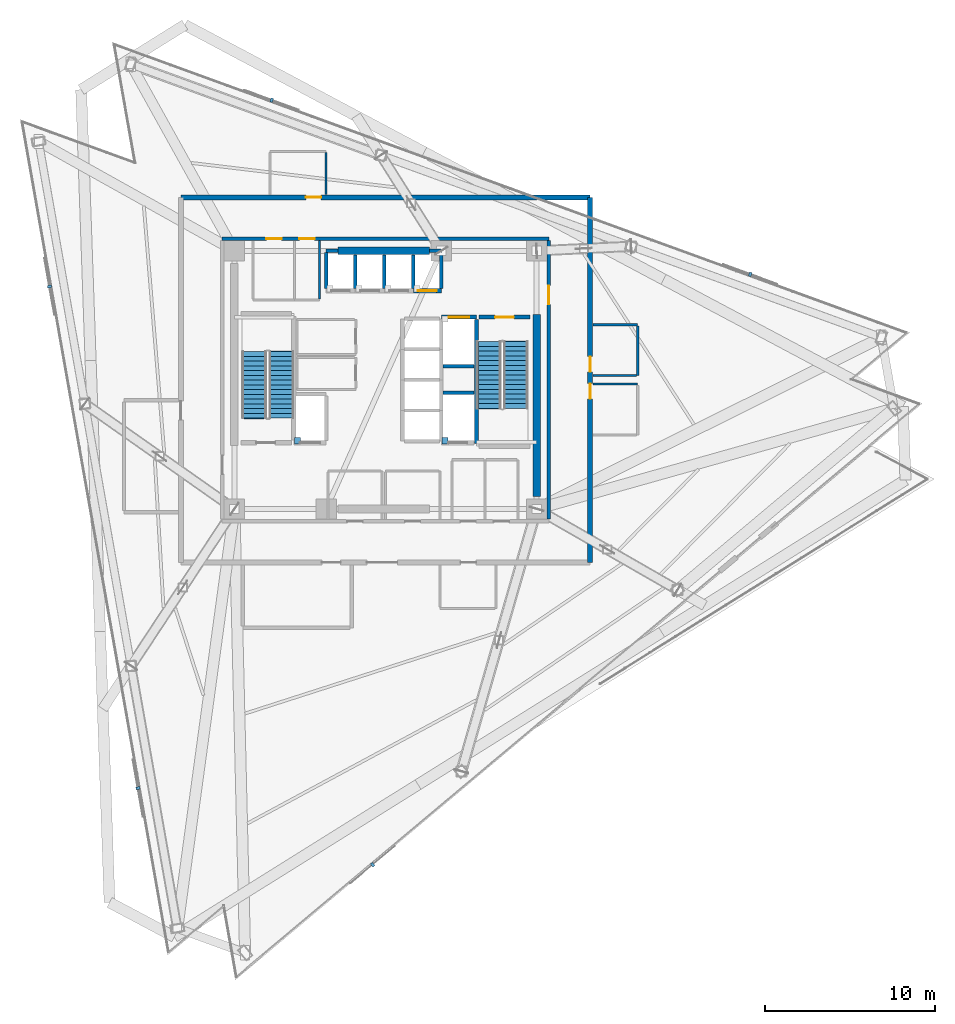
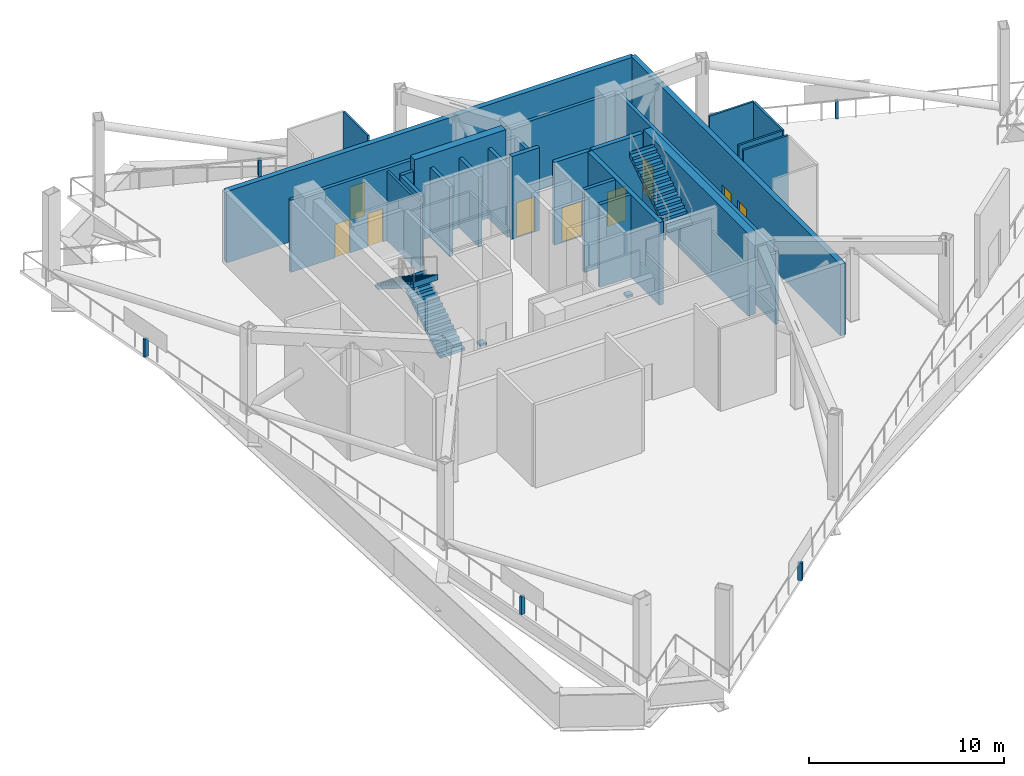
# One storey, part 8 of 15: 25 walls, 9 doors, 7 discrete accessories, 4 stair flights, 9 openings, 2 elements without a shape of their own.
"""IFC4 building model written with IfcOpenShell, lengths in metres."""

from ifc_helpers import new_model, si_unit, direction, frame, frame_2d, origin, origin_2d, place, context, subcontext, project, spatial, polyline, rectangle, outline, extrude, material, layer, layer_set, type_object, element, fill, aggregate, save


model = new_model("IFC4")

# Units and contexts
model_context = context("Model", 3, precision=1e-05, world=origin(), true_north=direction((0.0, 1.0)))
body_context = subcontext(model_context, "Body", "Model", "MODEL_VIEW")
ifc_project = project(units=[si_unit("LENGTHUNIT", "METRE"), si_unit("AREAUNIT", "SQUARE_METRE"), si_unit("VOLUMEUNIT", "CUBIC_METRE"), si_unit("PLANEANGLEUNIT", "RADIAN"), si_unit("MASSUNIT", "GRAM", prefix="KILO")], contexts=[model_context])

# Site, building, storey
site_placement = place(None, origin())
site = spatial("IfcSite", under=ifc_project, at=site_placement, CompositionType="ELEMENT")
building_placement = place(site_placement, origin())
building = spatial("IfcBuilding", under=site, at=building_placement, Name="Tharavind Bronze Gate", CompositionType="ELEMENT")
storey_placement = place(building_placement, frame((0.0, 0.0, 165.14990234375)))
storey = spatial("IfcBuildingStorey", under=building, at=storey_placement, Name="L42", CompositionType="ELEMENT", Elevation=165.14990234375)

# Wall, openings, doors
ifc_material_1 = material(Name="Concrete C40/50", Category="concrete")
ifc_layer_1 = layer(ifc_material_1, 0.300048828125)
ifc_layer_set_1 = layer_set([ifc_layer_1], Name="Concrete C40/50")
wall_type_1 = type_object("IfcWallType", Name="EXTERIOR SPANDREL WALL 300", PredefinedType="STANDARD", material=ifc_layer_set_1)
wall_1_placement = place(storey_placement, frame((12.050048828125, -10.75, 0.0), z_axis=(0.0, 0.0, 1.0), x_axis=(0.0, 1.0, 0.0)))
wall_1 = element("IfcWall", 1, at=wall_1_placement, inside=storey, type_object=wall_type_1, Name="L42 open wind floor core enclosure wall 2", PredefinedType="STANDARD", context=body_context, shape_type="SweptSolid", body=[
    extrude(rectangle(XDim=21.5, YDim=0.300048828125, at=frame_2d((10.75, 0.0))), origin(), (0.0, 0.0, 1.0), 4.465087890625),
])
opening_1_placement = place(wall_1_placement, frame((11.219970703125, 0.0, 0.0)))
opening_1 = element("IfcOpeningElement", 2, at=opening_1_placement, cuts=wall_1, Name="Opening ID07", PredefinedType="OPENING", context=body_context, shape_type="SweptSolid", body=[
    extrude(rectangle(XDim=0.89990234375, YDim=2.10009765625, at=frame_2d((0.449951171875, 1.050048828125))), frame((0.0, 0.15990234375, 0.0), z_axis=(0.0, -1.0, 0.0), x_axis=(1.0, 0.0, 0.0)), (0.0, 0.0, 1.0), 0.320048828125),
])
opening_2_placement = place(wall_1_placement, frame((9.639892578125, 0.0, 0.0)))
opening_2 = element("IfcOpeningElement", 3, at=opening_2_placement, cuts=wall_1, Name="Opening ID07", PredefinedType="OPENING", context=body_context, shape_type="SweptSolid", body=[
    extrude(rectangle(XDim=0.89990234375, YDim=2.10009765625, at=frame_2d((0.449951171875, 1.050048828125))), frame((0.0, 0.15990234375, 0.0), z_axis=(0.0, -1.0, 0.0), x_axis=(1.0, 0.0, 0.0)), (0.0, 0.0, 1.0), 0.320048828125),
])
ifc_material_2 = material(Name="Galvanised Fire Steel", Category="steel")
door_type_1 = type_object("IfcDoorType", Name="PLANT AND RISER FIRE DOOR 900X2100", OperationType="SINGLE_SWING_LEFT", PredefinedType="DOOR", material=ifc_material_2)
door_1_placement = place(opening_1_placement, origin())
door_1 = element("IfcDoor", 4, at=door_1_placement, inside=storey, type_object=door_type_1, Name="L42 Smoke Extract Plant Room door", OperationType="SINGLE_SWING_LEFT", OverallHeight=2.10009765625, OverallWidth=0.89990234375, PredefinedType="DOOR", context=body_context, shape_type="SweptSolid", body=[
    extrude(rectangle(XDim=0.89990234375, YDim=2.10009765625, at=frame_2d((0.449951171875, 1.050048828125))), frame((0.0, 0.02490234375, 0.0), z_axis=(0.0, -1.0, 0.0), x_axis=(1.0, 0.0, 0.0)), (0.0, 0.0, 1.0), 0.050048828125),
])
fill(opening_1, door_1)
door_2_placement = place(opening_2_placement, origin())
door_2 = element("IfcDoor", 5, at=door_2_placement, inside=storey, type_object=door_type_1, Name="L42 Pressurisation Mechanical Room door", OperationType="SINGLE_SWING_LEFT", OverallHeight=2.10009765625, OverallWidth=0.89990234375, PredefinedType="DOOR", context=body_context, shape_type="SweptSolid", body=[
    extrude(rectangle(XDim=0.89990234375, YDim=2.10009765625, at=frame_2d((0.449951171875, 1.050048828125))), frame((0.0, 0.02490234375, 0.0), z_axis=(0.0, -1.0, 0.0), x_axis=(1.0, 0.0, 0.0)), (0.0, 0.0, 1.0), 0.050048828125),
])
fill(opening_2, door_2)

# Wall, opening, door
wall_2_placement = place(storey_placement, frame((12.050048828125, 10.75, 0.0), z_axis=(0.0, 0.0, 1.0), x_axis=(-1.0, 0.0, 0.0)))
wall_2 = element("IfcWall", 6, at=wall_2_placement, inside=storey, type_object=wall_type_1, Name="L42 open wind floor core enclosure wall 3", PredefinedType="STANDARD", context=body_context, shape_type="SweptSolid", body=[
    extrude(rectangle(XDim=24.10009765625, YDim=0.300048828125, at=frame_2d((12.050048828125, 0.0))), origin(), (0.0, 0.0, 1.0), 4.465087890625),
])
opening_3_placement = place(wall_2_placement, frame((15.843017578125, 0.0, 0.0)))
opening_3 = element("IfcOpeningElement", 7, at=opening_3_placement, cuts=wall_2, Name="Opening ID07", PredefinedType="OPENING", context=body_context, shape_type="SweptSolid", body=[
    extrude(rectangle(XDim=0.89990234375, YDim=2.10009765625, at=frame_2d((0.449951171875, 1.050048828125))), frame((0.0, 0.15990234375, 0.0), z_axis=(0.0, -1.0, 0.0), x_axis=(1.0, 0.0, 0.0)), (0.0, 0.0, 1.0), 0.320048828125),
])
door_3_placement = place(opening_3_placement, origin())
door_3 = element("IfcDoor", 8, at=door_3_placement, inside=storey, type_object=door_type_1, Name="L42 Booster Pump Plant Room door", OperationType="SINGLE_SWING_LEFT", OverallHeight=2.10009765625, OverallWidth=0.89990234375, PredefinedType="DOOR", context=body_context, shape_type="SweptSolid", body=[
    extrude(rectangle(XDim=0.89990234375, YDim=2.10009765625, at=frame_2d((0.449951171875, 1.050048828125))), frame((0.0, 0.02490234375, 0.0), z_axis=(0.0, -1.0, 0.0), x_axis=(1.0, 0.0, 0.0)), (0.0, 0.0, 1.0), 0.050048828125),
])
fill(opening_3, door_3)

# Wall, openings, doors
ifc_material_3 = material(Name="Aerated Concrete Block", Category="concrete")
ifc_layer_2 = layer(ifc_material_3, 0.199951171875)
ifc_layer_set_2 = layer_set([ifc_layer_2], Name="Aerated Concrete Block")
wall_type_2 = type_object("IfcWallType", Name="FIRE RATED PARTITION 200", PredefinedType="PARTITIONING", material=ifc_layer_set_2)
wall_3_placement = place(storey_placement, frame((9.6201171875, 8.320068359375, 0.0), z_axis=(0.0, 0.0, 1.0), x_axis=(-1.0, 0.0, 0.0)))
wall_3 = element("IfcWall", 9, at=wall_3_placement, inside=storey, type_object=wall_type_2, Name="L42 north core corridor wall", PredefinedType="PARTITIONING", context=body_context, shape_type="SweptSolid", body=[
    extrude(rectangle(XDim=19.240234375, YDim=0.199951171875, at=frame_2d((9.6201171875, 0.0))), origin(), (0.0, 0.0, 1.0), 4.51513671875),
])
opening_4_placement = place(wall_3_placement, frame((15.7451171875, 0.0, 0.0)))
opening_4 = element("IfcOpeningElement", 10, at=opening_4_placement, cuts=wall_3, Name="Opening ID07", PredefinedType="OPENING", context=body_context, shape_type="SweptSolid", body=[
    extrude(rectangle(XDim=0.89990234375, YDim=2.10009765625, at=frame_2d((0.449951171875, 1.050048828125))), frame((0.0, 0.11009765625, 0.0), z_axis=(0.0, -1.0, 0.0), x_axis=(1.0, 0.0, 0.0)), (0.0, 0.0, 1.0), 0.219951171875),
])
opening_5_placement = place(wall_3_placement, frame((13.794921875, 0.0, 0.0)))
opening_5 = element("IfcOpeningElement", 11, at=opening_5_placement, cuts=wall_3, Name="Opening ID07", PredefinedType="OPENING", context=body_context, shape_type="SweptSolid", body=[
    extrude(rectangle(XDim=0.89990234375, YDim=2.10009765625, at=frame_2d((0.449951171875, 1.050048828125))), frame((0.0, 0.11009765625, 0.0), z_axis=(0.0, -1.0, 0.0), x_axis=(1.0, 0.0, 0.0)), (0.0, 0.0, 1.0), 0.219951171875),
])
door_4_placement = place(opening_4_placement, frame((0.89990234375, 0.0, 0.0), z_axis=(0.0, 0.0, 1.0), x_axis=(-1.0, 0.0, 0.0)))
door_4 = element("IfcDoor", 12, at=door_4_placement, inside=storey, type_object=door_type_1, Name="L42 MEP Switchgear Room fire door", OperationType="SINGLE_SWING_LEFT", OverallHeight=2.10009765625, OverallWidth=0.89990234375, PredefinedType="DOOR", context=body_context, shape_type="SweptSolid", body=[
    extrude(rectangle(XDim=0.89990234375, YDim=2.10009765625, at=frame_2d((0.449951171875, 1.050048828125))), frame((0.0, 0.02490234375, 0.0), z_axis=(0.0, -1.0, 0.0), x_axis=(1.0, 0.0, 0.0)), (0.0, 0.0, 1.0), 0.050048828125),
])
fill(opening_4, door_4)
door_5_placement = place(opening_5_placement, frame((0.89990234375, 0.0, 0.0), z_axis=(0.0, 0.0, 1.0), x_axis=(-1.0, 0.0, 0.0)))
door_5 = element("IfcDoor", 13, at=door_5_placement, inside=storey, type_object=door_type_1, Name="L42 Mechanical Riser Plant Room fire door", OperationType="SINGLE_SWING_LEFT", OverallHeight=2.10009765625, OverallWidth=0.89990234375, PredefinedType="DOOR", context=body_context, shape_type="SweptSolid", body=[
    extrude(rectangle(XDim=0.89990234375, YDim=2.10009765625, at=frame_2d((0.449951171875, 1.050048828125))), frame((0.0, 0.02490234375, 0.0), z_axis=(0.0, -1.0, 0.0), x_axis=(1.0, 0.0, 0.0)), (0.0, 0.0, 1.0), 0.050048828125),
])
fill(opening_5, door_5)

# Wall, opening, door
wall_4_placement = place(storey_placement, frame((9.6201171875, -8.199951171875, 0.0), z_axis=(0.0, 0.0, 1.0), x_axis=(0.0, 1.0, 0.0)))
wall_4 = element("IfcWall", 14, at=wall_4_placement, inside=storey, type_object=wall_type_2, Name="L42 east core corridor wall", PredefinedType="PARTITIONING", context=body_context, shape_type="SweptSolid", body=[
    extrude(rectangle(XDim=16.39990234375, YDim=0.199951171875, at=frame_2d((8.199951171875, 0.0))), origin(), (0.0, 0.0, 1.0), 4.614990234375),
])
opening_6_placement = place(wall_4_placement, frame((12.64990234375, 0.0, 0.0)))
opening_6 = element("IfcOpeningElement", 15, at=opening_6_placement, cuts=wall_4, Name="Opening ID01", PredefinedType="OPENING", context=body_context, shape_type="SweptSolid", body=[
    extrude(rectangle(XDim=1.10009765625, YDim=2.14990234375, at=frame_2d((0.550048828125, 1.074951171875))), frame((0.0, 0.11009765625, 0.0), z_axis=(0.0, -1.0, 0.0), x_axis=(1.0, 0.0, 0.0)), (0.0, 0.0, 1.0), 0.219951171875),
])
ifc_material_4 = material(Name="Fire-Rated Steel", Category="steel")
door_type_2 = type_object("IfcDoorType", Name="STAIR CORE FIRE DOOR 1100X2150", OperationType="SINGLE_SWING_LEFT", PredefinedType="DOOR", material=ifc_material_4)
door_6_placement = place(opening_6_placement, frame((1.10009765625, 0.0, 0.0), z_axis=(0.0, 0.0, 1.0), x_axis=(-1.0, 0.0, 0.0)))
door_6 = element("IfcDoor", 16, at=door_6_placement, inside=storey, type_object=door_type_2, Name="L42 north east stair lobby fire door", OperationType="SINGLE_SWING_LEFT", OverallHeight=2.14990234375, OverallWidth=1.10009765625, PredefinedType="DOOR", context=body_context, shape_type="SweptSolid", body=[
    extrude(rectangle(XDim=1.10009765625, YDim=2.14990234375, at=frame_2d((0.550048828125, 1.074951171875))), frame((0.0, 0.02490234375, 0.0), z_axis=(0.0, -1.0, 0.0), x_axis=(1.0, 0.0, 0.0)), (0.0, 0.0, 1.0), 0.050048828125),
])
fill(opening_6, door_6)

# Walls
ifc_material_5 = material(Name="Metal Stud Gypsum Partition", Category="gypsum")
ifc_layer_3 = layer(ifc_material_5, 0.1201171875)
ifc_layer_set_3 = layer_set([ifc_layer_3], Name="Metal Stud Gypsum Partition")
wall_type_3 = type_object("IfcWallType", Name="INTERIOR PARTITION WALL 120", PredefinedType="PARTITIONING", material=ifc_layer_set_3)
wall_5_placement = place(storey_placement, frame((-3.89990234375, 4.764892578125, 0.0), z_axis=(0.0, 0.0, 1.0), x_axis=(0.0, 1.0, 0.0)))
element("IfcWall", 17, at=wall_5_placement, inside=storey, type_object=wall_type_3, Name="L42 Mechanical Riser Plant Room partition 2", PredefinedType="PARTITIONING", context=body_context, shape_type="SweptSolid", body=[
    extrude(rectangle(XDim=3.4501953125, YDim=0.1201171875, at=frame_2d((1.72509765625, 0.0))), origin(), (0.0, 0.0, 1.0), 4.364990234375),
])
wall_6_placement = place(storey_placement, frame((12.205078125, 3.25, 0.0), z_axis=(0.0, 0.0, 1.0), x_axis=(1.0, 0.0, 0.0)))
element("IfcWall", 18, at=wall_6_placement, inside=storey, type_object=wall_type_3, Name="L42 Smoke Extract Plant Room partition", PredefinedType="PARTITIONING", context=body_context, shape_type="SweptSolid", body=[
    extrude(rectangle(XDim=2.64501953125, YDim=0.1201171875, at=frame_2d((1.322509765625, 0.0))), origin(), (0.0, 0.0, 1.0), 5.170166015625),
])
wall_7_placement = place(storey_placement, frame((14.85009765625, 3.18505859375, 0.0), z_axis=(0.0, 0.0, 1.0), x_axis=(0.0, -1.0, 0.0)))
element("IfcWall", 19, at=wall_7_placement, inside=storey, type_object=wall_type_3, Name="L42 Smoke Extract Plant Room partition", PredefinedType="PARTITIONING", context=body_context, shape_type="SweptSolid", body=[
    extrude(rectangle(XDim=2.93505859375, YDim=0.1201171875, at=frame_2d((1.467529296875, 0.0))), origin(), (0.0, 0.0, 1.0), 5.170166015625),
])
wall_8_placement = place(storey_placement, frame((14.784912109375, 0.25, 0.0), z_axis=(0.0, 0.0, 1.0), x_axis=(-1.0, 0.0, 0.0)))
element("IfcWall", 20, at=wall_8_placement, inside=storey, type_object=wall_type_3, Name="L42 Smoke Extract Plant Room partition", PredefinedType="PARTITIONING", context=body_context, shape_type="SweptSolid", body=[
    extrude(rectangle(XDim=2.579833984375, YDim=0.1201171875, at=frame_2d((1.2900390625, 0.0))), origin(), (0.0, 0.0, 1.0), 5.170166015625),
])
wall_9_placement = place(storey_placement, frame((12.205078125, -0.25, 0.0), z_axis=(0.0, 0.0, 1.0), x_axis=(1.0, 0.0, 0.0)))
element("IfcWall", 21, at=wall_9_placement, inside=storey, type_object=wall_type_3, Name="L42 Pressurisation Mechanical Room partition", PredefinedType="PARTITIONING", context=body_context, shape_type="SweptSolid", body=[
    extrude(rectangle(XDim=2.64501953125, YDim=0.1201171875, at=frame_2d((1.322509765625, 0.0))), origin(), (0.0, 0.0, 1.0), 5.170166015625),
])
wall_10_placement = place(storey_placement, frame((-3.5, 13.385009765625, 0.0), z_axis=(0.0, 0.0, 1.0), x_axis=(0.0, -1.0, 0.0)))
element("IfcWall", 22, at=wall_10_placement, inside=storey, type_object=wall_type_3, Name="L42 Booster Pump Plant Room partition", PredefinedType="PARTITIONING", context=body_context, shape_type="SweptSolid", body=[
    extrude(rectangle(XDim=2.47998046875, YDim=0.1201171875, at=frame_2d((1.239990234375, 0.0))), origin(), (0.0, 0.0, 1.0), 4.80517578125),
])
ifc_material_6 = material(Name="Concrete C50/60", Category="concrete")
ifc_layer_4 = layer(ifc_material_6, 0.25)
ifc_layer_set_4 = layer_set([ifc_layer_4], Name="Concrete C50/60")
wall_type_4 = type_object("IfcWallType", Name="RC CORE SHEAR WALL 250", PredefinedType="SHEAR", material=ifc_layer_set_4)
wall_11_placement = place(storey_placement, frame((5.35009765625, -3.75, 0.0), z_axis=(0.0, 0.0, 1.0), x_axis=(0.0, 1.0, 0.0)))
element("IfcWall", 23, at=wall_11_placement, inside=storey, type_object=wall_type_4, Name="L42 ST2 shaft west wall", PredefinedType="SHEAR", context=body_context, shape_type="SweptSolid", body=[
    extrude(rectangle(XDim=7.300048828125, YDim=0.25, at=frame_2d((3.64990234375, 0.0))), origin(), (0.0, 0.0, 1.0), 5.170166015625),
])

# Wall, opening, door
wall_12_placement = place(storey_placement, frame((5.5, 3.699951171875, 0.0), z_axis=(0.0, 0.0, 1.0), x_axis=(1.0, 0.0, 0.0)))
wall_12 = element("IfcWall", 24, at=wall_12_placement, inside=storey, type_object=wall_type_4, Name="L42 ST2 shaft north wall", PredefinedType="SHEAR", context=body_context, shape_type="SweptSolid", body=[
    extrude(rectangle(XDim=3.0, YDim=0.25, at=frame_2d((1.5, 0.0))), origin(), (0.0, 0.0, 1.0), 5.170166015625),
])
opening_7_placement = place(wall_12_placement, frame((0.949951171875, 0.0, 0.0)))
opening_7 = element("IfcOpeningElement", 25, at=opening_7_placement, cuts=wall_12, Name="Opening ID01", PredefinedType="OPENING", context=body_context, shape_type="SweptSolid", body=[
    extrude(rectangle(XDim=1.10009765625, YDim=2.14990234375, at=frame_2d((0.550048828125, 1.074951171875))), frame((0.0, 0.135, 0.0), z_axis=(0.0, -1.0, 0.0), x_axis=(1.0, 0.0, 0.0)), (0.0, 0.0, 1.0), 0.27),
])
door_7_placement = place(opening_7_placement, frame((1.10009765625, 0.0, 0.0), z_axis=(0.0, 0.0, 1.0), x_axis=(-1.0, 0.0, 0.0)))
door_7 = element("IfcDoor", 26, at=door_7_placement, inside=storey, type_object=door_type_2, Name="L42 exit stair ST2 fire door", OperationType="SINGLE_SWING_LEFT", OverallHeight=2.14990234375, OverallWidth=1.10009765625, PredefinedType="DOOR", context=body_context, shape_type="SweptSolid", body=[
    extrude(rectangle(XDim=1.10009765625, YDim=2.14990234375, at=frame_2d((0.550048828125, 1.074951171875))), frame((0.0, 0.02490234375, 0.0), z_axis=(0.0, -1.0, 0.0), x_axis=(1.0, 0.0, 0.0)), (0.0, 0.0, 1.0), 0.050048828125),
])
fill(opening_7, door_7)

wall_13_placement = place(storey_placement, frame((1.637451171875, 5.25, 0.0), z_axis=(0.0, 0.0, 1.0), x_axis=(1.0, 0.0, 0.0)))
wall_13 = element("IfcWall", 27, at=wall_13_placement, inside=storey, type_object=wall_type_4, Name="L42 lift PL8 shaft front wall", PredefinedType="SHEAR", context=body_context, shape_type="SweptSolid", body=[
    extrude(rectangle(XDim=1.642578125, YDim=0.25, at=frame_2d((0.8212890625, 0.0))), origin(), (0.0, 0.0, 1.0), 5.170166015625),
])
opening_8_placement = place(wall_13_placement, frame((0.27099609375, 0.0, 0.0)))
opening_8 = element("IfcOpeningElement", 28, at=opening_8_placement, cuts=wall_13, Name="Opening LD01", PredefinedType="OPENING", context=body_context, shape_type="SweptSolid", body=[
    extrude(rectangle(XDim=1.10009765625, YDim=2.199951171875, at=frame_2d((0.550048828125, 1.10009765625))), frame((0.0, 0.135, 0.0), z_axis=(0.0, -1.0, 0.0), x_axis=(1.0, 0.0, 0.0)), (0.0, 0.0, 1.0), 0.27),
])
ifc_material_7 = material(Name="Brushed Bronze Stainless Steel", Category="steel")
door_type_3 = type_object("IfcDoorType", Name="LIFT LANDING SLIDING DOOR 1100X2200", OperationType="SLIDING_TO_LEFT", PredefinedType="DOOR", material=ifc_material_7)
door_8_placement = place(opening_8_placement, origin())
door_8 = element("IfcDoor", 29, at=door_8_placement, inside=storey, type_object=door_type_3, Name="L42 lift PL8 sliding landing door", OperationType="SLIDING_TO_LEFT", OverallHeight=2.199951171875, OverallWidth=1.10009765625, PredefinedType="DOOR", context=body_context, shape_type="SweptSolid", body=[
    extrude(rectangle(XDim=1.10009765625, YDim=2.199951171875, at=frame_2d((0.550048828125, 1.10009765625))), frame((0.0, 0.02490234375, 0.0), z_axis=(0.0, -1.0, 0.0), x_axis=(1.0, 0.0, 0.0)), (0.0, 0.0, 1.0), 0.050048828125),
])
fill(opening_8, door_8)

wall_14_placement = place(storey_placement, frame((3.280029296875, 3.699951171875, 0.0), z_axis=(0.0, 0.0, 1.0), x_axis=(1.0, 0.0, 0.0)))
wall_14 = element("IfcWall", 30, at=wall_14_placement, inside=storey, type_object=wall_type_4, Name="L42 lift FFL2 shaft front wall", PredefinedType="SHEAR", context=body_context, shape_type="SweptSolid", body=[
    extrude(rectangle(XDim=2.070068359375, YDim=0.25, at=frame_2d((1.03515625, 0.0))), origin(), (0.0, 0.0, 1.0), 5.170166015625),
])
opening_9_placement = place(wall_14_placement, frame((0.43505859375, 0.0, 0.0)))
opening_9 = element("IfcOpeningElement", 31, at=opening_9_placement, cuts=wall_14, Name="Opening LD02", PredefinedType="OPENING", context=body_context, shape_type="SweptSolid", body=[
    extrude(rectangle(XDim=1.199951171875, YDim=2.199951171875, at=frame_2d((0.60009765625, 1.10009765625))), frame((0.0, 0.135, 0.0), z_axis=(0.0, -1.0, 0.0), x_axis=(1.0, 0.0, 0.0)), (0.0, 0.0, 1.0), 0.27),
])
ifc_material_8 = material(Name="Brushed Stainless Steel", Category="steel")
door_type_4 = type_object("IfcDoorType", Name="FIREFIGHTING LIFT LANDING DOOR 1200X2200", OperationType="SLIDING_TO_RIGHT", PredefinedType="DOOR", material=ifc_material_8)
door_9_placement = place(opening_9_placement, origin())
door_9 = element("IfcDoor", 32, at=door_9_placement, inside=storey, type_object=door_type_4, Name="L42 lift FFL2 sliding landing door", OperationType="SLIDING_TO_RIGHT", OverallHeight=2.199951171875, OverallWidth=1.199951171875, PredefinedType="DOOR", context=body_context, shape_type="SweptSolid", body=[
    extrude(rectangle(XDim=1.199951171875, YDim=2.199951171875, at=frame_2d((0.60009765625, 1.10009765625))), frame((0.0, 0.02490234375, 0.0), z_axis=(0.0, -1.0, 0.0), x_axis=(1.0, 0.0, 0.0)), (0.0, 0.0, 1.0), 0.050048828125),
])
fill(opening_9, door_9)

# Walls
ifc_material_9 = material(Name="Concrete C60/75", Category="concrete")
ifc_layer_5 = layer(ifc_material_9, 0.449951171875)
ifc_layer_set_5 = layer_set([ifc_layer_5], Name="Concrete C60/75")
wall_type_5 = type_object("IfcWallType", Name="RC CORE SHEAR WALL 450", PredefinedType="SHEAR", material=ifc_layer_set_5)
wall_15_placement = place(storey_placement, frame((-2.800048828125, 7.60009765625, 0.0), z_axis=(0.0, 0.0, 1.0), x_axis=(1.0, 0.0, 0.0)))
element("IfcWall", 33, at=wall_15_placement, inside=storey, type_object=wall_type_5, Name="L42 north core shear wall", PredefinedType="SHEAR", context=body_context, shape_type="SweptSolid", body=[
    extrude(rectangle(XDim=5.380126953125, YDim=0.449951171875, at=frame_2d((2.68994140625, 0.0))), origin(), (0.0, 0.0, 1.0), 5.170166015625),
])
wall_16_placement = place(storey_placement, frame((8.89990234375, -6.85009765625, 0.0), z_axis=(0.0, 0.0, 1.0), x_axis=(0.0, 1.0, 0.0)))
element("IfcWall", 34, at=wall_16_placement, inside=storey, type_object=wall_type_5, Name="L42 east core shear wall", PredefinedType="SHEAR", context=body_context, shape_type="SweptSolid", body=[
    extrude(rectangle(XDim=10.7001953125, YDim=0.449951171875, at=frame_2d((5.35009765625, 0.0))), origin(), (0.0, 0.0, 1.0), 5.170166015625),
])
ifc_layer_6 = layer(ifc_material_1, 0.199951171875)
ifc_layer_set_6 = layer_set([ifc_layer_6], Name="Concrete C40/50")
wall_type_6 = type_object("IfcWallType", Name="SHAFT ENCLOSURE WALL 200", PredefinedType="PARTITIONING", material=ifc_layer_set_6)
wall_17_placement = place(storey_placement, frame((-3.5, 7.60009765625, 0.0), z_axis=(0.0, 0.0, 1.0), x_axis=(1.0, 0.0, 0.0)))
element("IfcWall", 35, at=wall_17_placement, inside=storey, type_object=wall_type_6, Name="L42 lift PL5 shaft N enclosure wall", PredefinedType="PARTITIONING", context=body_context, shape_type="SweptSolid", body=[
    extrude(rectangle(XDim=0.699951171875, YDim=0.199951171875, at=frame_2d((0.35009765625, 0.0))), origin(), (0.0, 0.0, 1.0), 4.364990234375),
])
wall_18_placement = place(storey_placement, frame((-3.5, 5.3798828125, 0.0), z_axis=(0.0, 0.0, 1.0), x_axis=(0.0, 1.0, 0.0)))
element("IfcWall", 36, at=wall_18_placement, inside=storey, type_object=wall_type_6, Name="L42 lift PL5 shaft W enclosure wall", PredefinedType="PARTITIONING", context=body_context, shape_type="SweptSolid", body=[
    extrude(rectangle(XDim=2.115234375, YDim=0.199951171875, at=frame_2d((1.0576171875, 0.0))), origin(), (0.0, 0.0, 1.0), 4.364990234375),
])
for number, where, z_axis, x_axis, name in (
    (37, (-1.78759765625, 5.3798828125, 0.0), (0.0, 0.0, 1.0), (0.0, 1.0, 0.0), "L42 lift PL5 shaft E enclosure wall"),
    (38, (-0.074951171875, 5.3798828125, 0.0), (0.0, 0.0, 1.0), (0.0, 1.0, 0.0), "L42 lift PL6 shaft E enclosure wall"),
    (39, (1.637451171875, 5.3798828125, 0.0), (0.0, 0.0, 1.0), (0.0, 1.0, 0.0), "L42 lift PL7 shaft E enclosure wall"),
):
    element("IfcWall", number, at=place(storey_placement, frame(where, z_axis=z_axis, x_axis=x_axis)), inside=storey, type_object=wall_type_6, Name=name, PredefinedType="PARTITIONING", context=body_context, shape_type="SweptSolid", body=[
        extrude(rectangle(XDim=1.990234375, YDim=0.199951171875, at=frame_2d((0.9951171875, 0.0))), origin(), (0.0, 0.0, 1.0), 4.364990234375),
    ])
wall_19_placement = place(storey_placement, frame((2.580078125, 7.60009765625, 0.0), z_axis=(0.0, 0.0, 1.0), x_axis=(1.0, 0.0, 0.0)))
element("IfcWall", 40, at=wall_19_placement, inside=storey, type_object=wall_type_6, Name="L42 lift PL8 shaft N enclosure wall", PredefinedType="PARTITIONING", context=body_context, shape_type="SweptSolid", body=[
    extrude(rectangle(XDim=0.699951171875, YDim=0.199951171875, at=frame_2d((0.35009765625, 0.0))), origin(), (0.0, 0.0, 1.0), 4.364990234375),
])
wall_20_placement = place(storey_placement, frame((3.280029296875, 5.3798828125, 0.0), z_axis=(0.0, 0.0, 1.0), x_axis=(0.0, 1.0, 0.0)))
element("IfcWall", 41, at=wall_20_placement, inside=storey, type_object=wall_type_6, Name="L42 lift PL8 shaft E enclosure wall", PredefinedType="PARTITIONING", context=body_context, shape_type="SweptSolid", body=[
    extrude(rectangle(XDim=2.115234375, YDim=0.199951171875, at=frame_2d((1.0576171875, 0.0))), origin(), (0.0, 0.0, 1.0), 4.364990234375),
])
for number, where, z_axis, x_axis, name in (
    (42, (3.385009765625, 0.800048828125, 0.0), (0.0, 0.0, 1.0), (1.0, 0.0, 0.0), "L42 lift FFL2 shaft S enclosure wall"),
    (43, (3.385009765625, -0.75, 0.0), (0.0, 0.0, 1.0), (1.0, 0.0, 0.0), "L42 lift SVL1 shaft N enclosure wall"),
):
    element("IfcWall", number, at=place(storey_placement, frame(where, z_axis=z_axis, x_axis=x_axis)), inside=storey, type_object=wall_type_6, Name=name, PredefinedType="PARTITIONING", context=body_context, shape_type="SweptSolid", body=[
        extrude(rectangle(XDim=1.8349609375, YDim=0.199951171875, at=frame_2d((0.91748046875, 0.0))), origin(), (0.0, 0.0, 1.0), 5.170166015625),
    ])

# Stair, stair flights
stair_type = type_object("IfcStairType", Name="CORE HALF TURN STAIR 1450", PredefinedType="HALF_TURN_STAIR", material=ifc_material_1)
stair_1_placement = place(storey_placement, origin())
stair_1 = element("IfcStair", 44, at=stair_1_placement, inside=storey, type_object=stair_type, Name="L42 Protected Exit Stair ST1", PredefinedType="HALF_TURN_STAIR")
stair_flight_type = type_object("IfcStairFlightType", Name="CORE STAIR FLIGHT 1450", PredefinedType="STRAIGHT", material=ifc_material_1)
stair_flight_1_placement = place(storey_placement, frame((-6.125, -2.25, 0.0), z_axis=(0.0, 0.0, 1.0), x_axis=(0.0, 1.0, 0.0)))
stair_flight_1 = element("IfcStairFlight", 45, at=stair_flight_1_placement, type_object=stair_flight_type, Name="ST1 flight 1", NumberOfRisers=15, NumberOfTreads=14, PredefinedType="STRAIGHT", RiserHeight=0.178333333, TreadLength=0.28, context=body_context, shape_type="SweptSolid", body=[
    extrude(outline(polyline([(0.0, 0.0), (0.0, 0.17822265625), (0.280029296875, 0.17822265625), (0.280029296875, 0.356689453125), (0.56005859375, 0.356689453125), (0.56005859375, 0.534912109375), (0.840087890625, 0.534912109375), (0.840087890625, 0.71337890625), (1.1201171875, 0.71337890625), (1.1201171875, 0.8916015625), (1.39990234375, 0.8916015625), (1.39990234375, 1.070068359375), (1.679931640625, 1.070068359375), (1.679931640625, 1.248291015625), (1.9599609375, 1.248291015625), (1.9599609375, 1.4267578125), (2.239990234375, 1.4267578125), (2.239990234375, 1.60498046875), (2.52001953125, 1.60498046875), (2.52001953125, 1.783447265625), (2.800048828125, 1.783447265625), (2.800048828125, 1.961669921875), (3.080078125, 1.961669921875), (3.080078125, 2.139892578125), (3.360107421875, 2.139892578125), (3.360107421875, 2.318359375), (3.639892578125, 2.318359375), (3.639892578125, 2.49658203125), (3.919921875, 2.49658203125), (3.919921875, 2.675048828125), (3.9560546875, 2.675048828125), (3.9560546875, 2.31884765625), (0.279052734375, 0.0), (0.0, 0.0)])), frame((0.0, 0.72509765625, 0.0), z_axis=(0.0, -1.0, 0.0), x_axis=(1.0, 0.0, 0.0)), (0.0, 0.0, 1.0), 1.449951171875),
])
stair_flight_2_placement = place(storey_placement, frame((-7.72509765625, 1.669921875, 2.675048828125), z_axis=(0.0, 0.0, 1.0), x_axis=(0.0, -1.0, 0.0)))
stair_flight_2 = element("IfcStairFlight", 46, at=stair_flight_2_placement, type_object=stair_flight_type, Name="ST1 flight 2", NumberOfRisers=15, NumberOfTreads=14, PredefinedType="STRAIGHT", RiserHeight=0.178333333, TreadLength=0.28, context=body_context, shape_type="SweptSolid", body=[
    extrude(outline(polyline([(0.0, 0.0), (0.0, 0.17822265625), (0.280029296875, 0.17822265625), (0.280029296875, 0.356689453125), (0.56005859375, 0.356689453125), (0.56005859375, 0.534912109375), (0.840087890625, 0.534912109375), (0.840087890625, 0.71337890625), (1.1201171875, 0.71337890625), (1.1201171875, 0.8916015625), (1.39990234375, 0.8916015625), (1.39990234375, 1.070068359375), (1.679931640625, 1.070068359375), (1.679931640625, 1.248291015625), (1.9599609375, 1.248291015625), (1.9599609375, 1.4267578125), (2.239990234375, 1.4267578125), (2.239990234375, 1.60498046875), (2.52001953125, 1.60498046875), (2.52001953125, 1.783447265625), (2.800048828125, 1.783447265625), (2.800048828125, 1.961669921875), (3.080078125, 1.961669921875), (3.080078125, 2.139892578125), (3.360107421875, 2.139892578125), (3.360107421875, 2.318359375), (3.639892578125, 2.318359375), (3.639892578125, 2.49658203125), (3.919921875, 2.49658203125), (3.919921875, 2.675048828125), (3.9560546875, 2.675048828125), (3.9560546875, 2.31884765625), (0.279052734375, 0.0), (0.0, 0.0)])), frame((0.0, 0.72509765625, 0.0), z_axis=(0.0, -1.0, 0.0), x_axis=(1.0, 0.0, 0.0)), (0.0, 0.0, 1.0), 1.449951171875),
])
aggregate(stair_1, [stair_flight_1, stair_flight_2])

stair_2_placement = place(storey_placement, origin())
stair_2 = element("IfcStair", 47, at=stair_2_placement, inside=storey, type_object=stair_type, Name="L42 Protected Exit Stair ST2", PredefinedType="HALF_TURN_STAIR")
stair_flight_3_placement = place(storey_placement, frame((6.074951171875, 2.25, 0.0), z_axis=(0.0, 0.0, 1.0), x_axis=(0.0, -1.0, 0.0)))
stair_flight_3 = element("IfcStairFlight", 48, at=stair_flight_3_placement, type_object=stair_flight_type, Name="ST2 flight 1", NumberOfRisers=15, NumberOfTreads=14, PredefinedType="STRAIGHT", RiserHeight=0.178333333, TreadLength=0.28, context=body_context, shape_type="SweptSolid", body=[
    extrude(outline(polyline([(0.0, 0.0), (0.0, 0.17822265625), (0.280029296875, 0.17822265625), (0.280029296875, 0.356689453125), (0.56005859375, 0.356689453125), (0.56005859375, 0.534912109375), (0.840087890625, 0.534912109375), (0.840087890625, 0.71337890625), (1.1201171875, 0.71337890625), (1.1201171875, 0.8916015625), (1.39990234375, 0.8916015625), (1.39990234375, 1.070068359375), (1.679931640625, 1.070068359375), (1.679931640625, 1.248291015625), (1.9599609375, 1.248291015625), (1.9599609375, 1.4267578125), (2.239990234375, 1.4267578125), (2.239990234375, 1.60498046875), (2.52001953125, 1.60498046875), (2.52001953125, 1.783447265625), (2.800048828125, 1.783447265625), (2.800048828125, 1.961669921875), (3.080078125, 1.961669921875), (3.080078125, 2.139892578125), (3.360107421875, 2.139892578125), (3.360107421875, 2.318359375), (3.639892578125, 2.318359375), (3.639892578125, 2.49658203125), (3.919921875, 2.49658203125), (3.919921875, 2.675048828125), (3.9560546875, 2.675048828125), (3.9560546875, 2.31884765625), (0.279052734375, 0.0), (0.0, 0.0)])), frame((0.0, 0.72509765625, 0.0), z_axis=(0.0, -1.0, 0.0), x_axis=(1.0, 0.0, 0.0)), (0.0, 0.0, 1.0), 1.449951171875),
])
stair_flight_4_placement = place(storey_placement, frame((7.675048828125, -1.669921875, 2.675048828125), z_axis=(0.0, 0.0, 1.0), x_axis=(0.0, 1.0, 0.0)))
stair_flight_4 = element("IfcStairFlight", 49, at=stair_flight_4_placement, type_object=stair_flight_type, Name="ST2 flight 2", NumberOfRisers=15, NumberOfTreads=14, PredefinedType="STRAIGHT", RiserHeight=0.178333333, TreadLength=0.28, context=body_context, shape_type="SweptSolid", body=[
    extrude(outline(polyline([(0.0, 0.0), (0.0, 0.17822265625), (0.280029296875, 0.17822265625), (0.280029296875, 0.356689453125), (0.56005859375, 0.356689453125), (0.56005859375, 0.534912109375), (0.840087890625, 0.534912109375), (0.840087890625, 0.71337890625), (1.1201171875, 0.71337890625), (1.1201171875, 0.8916015625), (1.39990234375, 0.8916015625), (1.39990234375, 1.070068359375), (1.679931640625, 1.070068359375), (1.679931640625, 1.248291015625), (1.9599609375, 1.248291015625), (1.9599609375, 1.4267578125), (2.239990234375, 1.4267578125), (2.239990234375, 1.60498046875), (2.52001953125, 1.60498046875), (2.52001953125, 1.783447265625), (2.800048828125, 1.783447265625), (2.800048828125, 1.961669921875), (3.080078125, 1.961669921875), (3.080078125, 2.139892578125), (3.360107421875, 2.139892578125), (3.360107421875, 2.318359375), (3.639892578125, 2.318359375), (3.639892578125, 2.49658203125), (3.919921875, 2.49658203125), (3.919921875, 2.675048828125), (3.9560546875, 2.675048828125), (3.9560546875, 2.31884765625), (0.279052734375, 0.0), (0.0, 0.0)])), frame((0.0, 0.72509765625, 0.0), z_axis=(0.0, -1.0, 0.0), x_axis=(1.0, 0.0, 0.0)), (0.0, 0.0, 1.0), 1.449951171875),
])
aggregate(stair_2, [stair_flight_3, stair_flight_4])

# Discrete accessories
ifc_material_10 = material(Name="Galvanised Steel S355", Category="steel")
discrete_accessory_type_1 = type_object("IfcDiscreteAccessoryType", Name="LIFT GUIDE RAIL BRACKET", PredefinedType="BRACKET", material=ifc_material_10)
for number, where, z_axis, x_axis, name in (
    (50, (-5.179931640625, -3.580078125, 1.1201171875), (0.0, 0.0, 1.0), (1.0, 0.0, 0.0), "Lift FFL1 guide rail bracket at L42"),
    (51, (3.5, -3.580078125, 1.1201171875), (0.0, 0.0, 1.0), (1.0, 0.0, 0.0), "Lift SVL1 guide rail bracket at L42"),
):
    element("IfcDiscreteAccessory", number, at=place(storey_placement, frame(where, z_axis=z_axis, x_axis=x_axis)), inside=storey, type_object=discrete_accessory_type_1, Name=name, PredefinedType="BRACKET", context=body_context, shape_type="SweptSolid", body=[
        extrude(rectangle(XDim=0.360107421875, YDim=0.360107421875, at=origin_2d()), origin(), (0.0, 0.0, 1.0), 0.159912109375),
    ])
ifc_material_11 = material(Name="Stainless Steel 316", Category="steel")
discrete_accessory_type_2 = type_object("IfcDiscreteAccessoryType", Name="SOLAR SCREEN STANDOFF BRACKET", PredefinedType="BRACKET", material=ifc_material_11)
for number, where, z_axis, x_axis, name in (
    (52, (-19.789306640625, 5.5, 0.0), (0.0, 0.0, 1.0), (0.173648177667, -0.984807753012, 0.0), "L42 wind floor screen base stanchion 1.1"),
    (53, (-14.581298828125, -24.036376953125, 0.0), (0.0, 0.0, 1.0), (0.173648177667, -0.984807753012, 0.0), "L42 wind floor screen base stanchion 1.2"),
    (54, (-0.760986328125, -28.54443359375, 0.0), (0.0, 0.0, 1.0), (0.766044443119, 0.642787609687, 0.0), "L42 wind floor screen base stanchion 2.1"),
    (55, (21.47607421875, 6.21923828125, 0.0), (0.0, 0.0, 1.0), (-0.939692023847, 0.342021783398, 0.0), "L42 wind floor screen base stanchion 3.1"),
    (56, (-6.707275390625, 16.477294921875, 0.0), (0.0, 0.0, 1.0), (-0.939692023847, 0.342021783398, 0.0), "L42 wind floor screen base stanchion 3.2"),
):
    element("IfcDiscreteAccessory", number, at=place(storey_placement, frame(where, z_axis=z_axis, x_axis=x_axis)), inside=storey, type_object=discrete_accessory_type_2, Name=name, PredefinedType="BRACKET", context=body_context, shape_type="SweptSolid", body=[
        extrude(rectangle(XDim=0.159912109375, YDim=0.239990234375, at=origin_2d()), origin(), (0.0, 0.0, 1.0), 1.10009765625),
    ])

save(model, "model.ifc")
